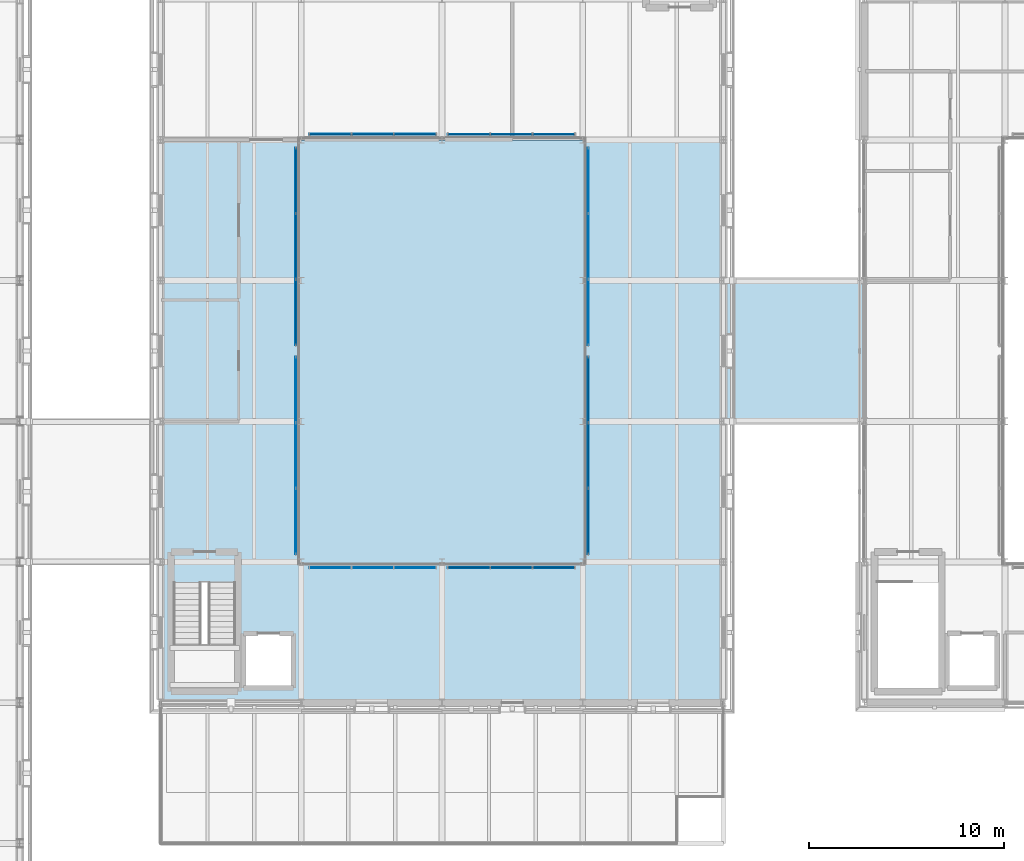
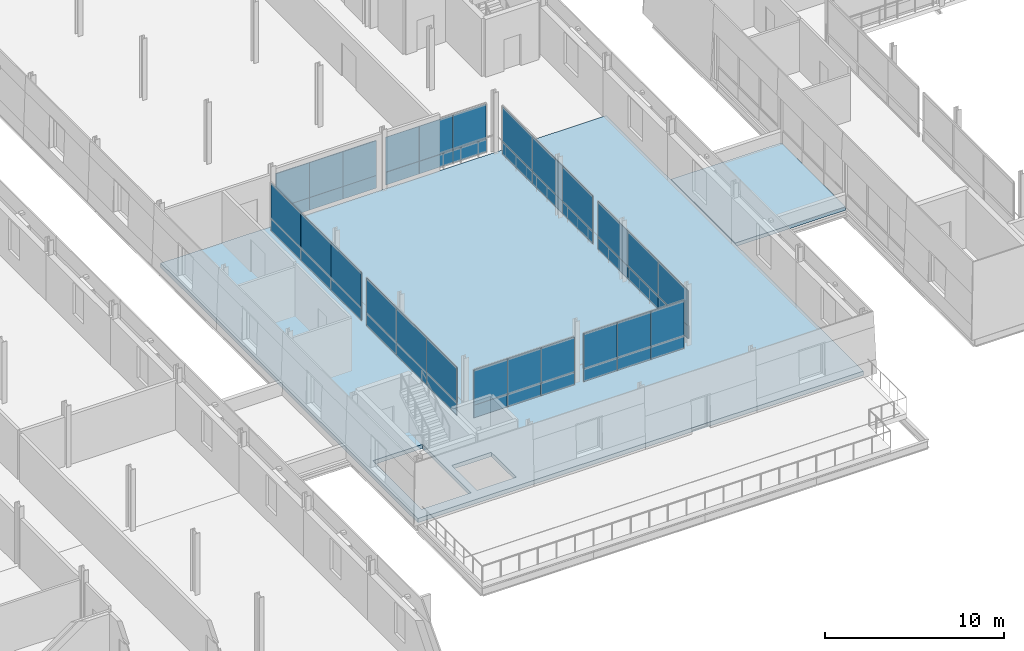
# One storey, part 46 of 91: 48 plates, 2 slabs, 8 elements without a shape of their own.
"""IFC4 building model written with IfcOpenShell, lengths in metres."""

from ifc_helpers import new_model, si_unit, direction, frame, origin, origin_2d, place, context, subcontext, project, spatial, polyline, rectangle, outline, extrude, material, layer, layer_set, type_object, element, aggregate, save


model = new_model("IFC4")

# Units and contexts
model_context = context("Model", 3, precision=1e-05, world=origin(), true_north=direction((0.0, 1.0)))
body_context = subcontext(model_context, "Body", "Model", "MODEL_VIEW")
ifc_project = project(units=[si_unit("LENGTHUNIT", "METRE"), si_unit("AREAUNIT", "SQUARE_METRE"), si_unit("VOLUMEUNIT", "CUBIC_METRE"), si_unit("PLANEANGLEUNIT", "RADIAN"), si_unit("MASSUNIT", "GRAM", prefix="KILO")], contexts=[model_context])

# Site, building, storey
site_placement = place(None, origin())
site = spatial("IfcSite", under=ifc_project, at=site_placement, CompositionType="ELEMENT")
building_placement = place(site_placement, origin())
building = spatial("IfcBuilding", under=site, at=building_placement, Name="Narikvali Park Central Library", CompositionType="ELEMENT")
storey_placement = place(building_placement, frame((0.0, 0.0, 14.39990234375)))
storey = spatial("IfcBuildingStorey", under=building, at=storey_placement, Name="L03", CompositionType="ELEMENT", Elevation=14.39990234375)

# Slab
ifc_material_1 = material(Name="Concrete C35/45", Category="concrete")
ifc_layer_1 = layer(ifc_material_1, 0.280029296875, Name="Concrete C35/45")
ifc_layer_set_1 = layer_set([ifc_layer_1], Name="Concrete C35/45")
slab_type_1 = type_object("IfcSlabType", Name="Composite Reading Floor Slab 280", PredefinedType="FLOOR", material=ifc_layer_set_1)
slab_1_placement = place(storey_placement, frame((0.0, 0.0, -0.27978515625)))
element("IfcSlab", 1, at=slab_1_placement, inside=storey, type_object=slab_type_1, Name="V4 L03 Structural Slab Panel 1", PredefinedType="FLOOR", context=body_context, shape_type="SweptSolid", body=[
    extrude(outline(polyline([(28.800048828125, 57.60009765625), (57.60009765625, 57.60009765625), (57.60009765625, 86.39990234375), (28.800048828125, 86.39990234375), (28.800048828125, 57.60009765625)]), holes=[polyline([(29.449951171875, 58.300048828125), (32.64990234375, 58.300048828125), (32.64990234375, 63.75), (29.449951171875, 63.75), (29.449951171875, 58.300048828125)]), polyline([(33.050048828125, 58.35009765625), (35.60009765625, 58.35009765625), (35.60009765625, 61.14990234375), (33.050048828125, 61.14990234375), (33.050048828125, 58.35009765625)])]), origin(), (0.0, 0.0, 1.0), 0.27978515625),
])

# Curtain wall, plates
ifc_material_2 = material(Name="Anodised Bronze Aluminium", Category="aluminium")
ifc_layer_2 = layer(ifc_material_2, 0.219970703125, Name="Anodised Bronze Aluminium")
ifc_layer_set_2 = layer_set([ifc_layer_2], Name="Anodised Bronze Aluminium")
curtain_wall_type = type_object("IfcCurtainWallType", Name="Atrium Tall Curtain Wall System", PredefinedType="NOTDEFINED", material=ifc_layer_set_2)
curtain_wall_1_placement = place(storey_placement, origin())
curtain_wall_1 = element("IfcCurtainWall", 2, at=curtain_wall_1_placement, inside=storey, type_object=curtain_wall_type, Name="Atrium Tall Curtain Wall System CW-INT-V4-L03-W2", PredefinedType="NOTDEFINED")
ifc_material_3 = material(Name="Heavy Acoustic Laminated Clerestory Glazing", Category="glass")
ifc_layer_3 = layer(ifc_material_3, 0.06396484375, Name="Heavy Acoustic Laminated Clerestory Glazing")
ifc_layer_set_3 = layer_set([ifc_layer_3], Name="Heavy Acoustic Laminated Clerestory Glazing")
plate_type_1 = type_object("IfcPlateType", Name="Curtain Wall Clerestory Laminated Acoustic Glass 64", PredefinedType="CURTAIN_PANEL", material=ifc_layer_set_3)
plate_1_placement = place(storey_placement, frame((35.719970703125, 77.583251953125, 0.9052734375), z_axis=(0.0, 0.0, 1.0), x_axis=(0.0, 1.0, 0.0)))
plate_1 = element("IfcPlate", 3, at=plate_1_placement, type_object=plate_type_1, Name="CW-INT-V4-L03-W2 Panel 00-1", PredefinedType="CURTAIN_PANEL", context=body_context, shape_type="SweptSolid", body=[
    extrude(rectangle(XDim=3.356689453125, YDim=0.06396484375, at=origin_2d()), origin(), (0.0, 0.0, 1.0), 2.3798828125),
])
plate_2_placement = place(storey_placement, frame((35.719970703125, 80.949951171875, 0.9052734375), z_axis=(0.0, 0.0, 1.0), x_axis=(0.0, 1.0, 0.0)))
plate_2 = element("IfcPlate", 4, at=plate_2_placement, type_object=plate_type_1, Name="CW-INT-V4-L03-W2 Panel 01-1", PredefinedType="CURTAIN_PANEL", context=body_context, shape_type="SweptSolid", body=[
    extrude(rectangle(XDim=3.356689453125, YDim=0.06396484375, at=origin_2d()), origin(), (0.0, 0.0, 1.0), 2.3798828125),
])
plate_3_placement = place(storey_placement, frame((35.719970703125, 84.316650390625, 0.9052734375), z_axis=(0.0, 0.0, 1.0), x_axis=(0.0, 1.0, 0.0)))
plate_3 = element("IfcPlate", 5, at=plate_3_placement, type_object=plate_type_1, Name="CW-INT-V4-L03-W2 Panel 02-1", PredefinedType="CURTAIN_PANEL", context=body_context, shape_type="SweptSolid", body=[
    extrude(rectangle(XDim=3.356689453125, YDim=0.06396484375, at=origin_2d()), origin(), (0.0, 0.0, 1.0), 2.3798828125),
])

curtain_wall_2_placement = place(storey_placement, origin())
curtain_wall_2 = element("IfcCurtainWall", 6, at=curtain_wall_2_placement, inside=storey, type_object=curtain_wall_type, Name="Atrium Tall Curtain Wall System CW-INT-V4-L03-E1", PredefinedType="NOTDEFINED")
plate_4_placement = place(storey_placement, frame((50.679931640625, 66.88330078125, 0.03515625), z_axis=(0.0, 0.0, 1.0), x_axis=(0.0, 1.0, 0.0)))
plate_4 = element("IfcPlate", 7, at=plate_4_placement, type_object=plate_type_1, Name="CW-INT-V4-L03-E1 Panel 00-0", PredefinedType="CURTAIN_PANEL", context=body_context, shape_type="SweptSolid", body=[
    extrude(rectangle(XDim=3.356689453125, YDim=0.06396484375, at=origin_2d()), origin(), (0.0, 0.0, 1.0), 0.860107421875),
])
plate_5_placement = place(storey_placement, frame((50.679931640625, 70.25, 0.03515625), z_axis=(0.0, 0.0, 1.0), x_axis=(0.0, 1.0, 0.0)))
plate_5 = element("IfcPlate", 8, at=plate_5_placement, type_object=plate_type_1, Name="CW-INT-V4-L03-E1 Panel 01-0", PredefinedType="CURTAIN_PANEL", context=body_context, shape_type="SweptSolid", body=[
    extrude(rectangle(XDim=3.356689453125, YDim=0.06396484375, at=origin_2d()), origin(), (0.0, 0.0, 1.0), 0.860107421875),
])
plate_6_placement = place(storey_placement, frame((50.679931640625, 73.61669921875, 0.03515625), z_axis=(0.0, 0.0, 1.0), x_axis=(0.0, 1.0, 0.0)))
plate_6 = element("IfcPlate", 9, at=plate_6_placement, type_object=plate_type_1, Name="CW-INT-V4-L03-E1 Panel 02-0", PredefinedType="CURTAIN_PANEL", context=body_context, shape_type="SweptSolid", body=[
    extrude(rectangle(XDim=3.356689453125, YDim=0.06396484375, at=origin_2d()), origin(), (0.0, 0.0, 1.0), 0.860107421875),
])

curtain_wall_3_placement = place(storey_placement, origin())
curtain_wall_3 = element("IfcCurtainWall", 10, at=curtain_wall_3_placement, inside=storey, type_object=curtain_wall_type, Name="Atrium Tall Curtain Wall System CW-INT-V4-L03-N1", PredefinedType="NOTDEFINED")
plate_7_placement = place(storey_placement, frame((37.4833984375, 86.679931640625, 0.9052734375), z_axis=(0.0, 0.0, 1.0), x_axis=(1.0, 0.0, 0.0)))
plate_7 = element("IfcPlate", 11, at=plate_7_placement, type_object=plate_type_1, Name="CW-INT-V4-L03-N1 Panel 00-1", PredefinedType="CURTAIN_PANEL", context=body_context, shape_type="SweptSolid", body=[
    extrude(rectangle(XDim=2.15673828125, YDim=0.06396484375, at=origin_2d()), origin(), (0.0, 0.0, 1.0), 2.3798828125),
])
plate_8_placement = place(storey_placement, frame((39.64990234375, 86.679931640625, 0.9052734375), z_axis=(0.0, 0.0, 1.0), x_axis=(1.0, 0.0, 0.0)))
plate_8 = element("IfcPlate", 12, at=plate_8_placement, type_object=plate_type_1, Name="CW-INT-V4-L03-N1 Panel 01-1", PredefinedType="CURTAIN_PANEL", context=body_context, shape_type="SweptSolid", body=[
    extrude(rectangle(XDim=2.15673828125, YDim=0.06396484375, at=origin_2d()), origin(), (0.0, 0.0, 1.0), 2.3798828125),
])
plate_9_placement = place(storey_placement, frame((41.816650390625, 86.679931640625, 0.9052734375), z_axis=(0.0, 0.0, 1.0), x_axis=(1.0, 0.0, 0.0)))
plate_9 = element("IfcPlate", 13, at=plate_9_placement, type_object=plate_type_1, Name="CW-INT-V4-L03-N1 Panel 02-1", PredefinedType="CURTAIN_PANEL", context=body_context, shape_type="SweptSolid", body=[
    extrude(rectangle(XDim=2.15673828125, YDim=0.06396484375, at=origin_2d()), origin(), (0.0, 0.0, 1.0), 2.3798828125),
])

curtain_wall_4_placement = place(storey_placement, origin())
curtain_wall_4 = element("IfcCurtainWall", 14, at=curtain_wall_4_placement, inside=storey, type_object=curtain_wall_type, Name="Atrium Tall Curtain Wall System CW-INT-V4-L03-N2", PredefinedType="NOTDEFINED")
plate_10_placement = place(storey_placement, frame((44.583251953125, 86.679931640625, 0.03515625), z_axis=(0.0, 0.0, 1.0), x_axis=(1.0, 0.0, 0.0)))
plate_10 = element("IfcPlate", 15, at=plate_10_placement, type_object=plate_type_1, Name="CW-INT-V4-L03-N2 Panel 00-0", PredefinedType="CURTAIN_PANEL", context=body_context, shape_type="SweptSolid", body=[
    extrude(rectangle(XDim=2.15673828125, YDim=0.06396484375, at=origin_2d()), origin(), (0.0, 0.0, 1.0), 0.860107421875),
])
plate_11_placement = place(storey_placement, frame((46.75, 86.679931640625, 0.03515625), z_axis=(0.0, 0.0, 1.0), x_axis=(1.0, 0.0, 0.0)))
plate_11 = element("IfcPlate", 16, at=plate_11_placement, type_object=plate_type_1, Name="CW-INT-V4-L03-N2 Panel 01-0", PredefinedType="CURTAIN_PANEL", context=body_context, shape_type="SweptSolid", body=[
    extrude(rectangle(XDim=2.15673828125, YDim=0.06396484375, at=origin_2d()), origin(), (0.0, 0.0, 1.0), 0.860107421875),
])
plate_12_placement = place(storey_placement, frame((48.916748046875, 86.679931640625, 0.03515625), z_axis=(0.0, 0.0, 1.0), x_axis=(1.0, 0.0, 0.0)))
plate_12 = element("IfcPlate", 17, at=plate_12_placement, type_object=plate_type_1, Name="CW-INT-V4-L03-N2 Panel 02-0", PredefinedType="CURTAIN_PANEL", context=body_context, shape_type="SweptSolid", body=[
    extrude(rectangle(XDim=2.15673828125, YDim=0.06396484375, at=origin_2d()), origin(), (0.0, 0.0, 1.0), 0.860107421875),
])

curtain_wall_5_placement = place(storey_placement, origin())
curtain_wall_5 = element("IfcCurtainWall", 18, at=curtain_wall_5_placement, inside=storey, type_object=curtain_wall_type, Name="Atrium Tall Curtain Wall System CW-INT-V4-L03-S2", PredefinedType="NOTDEFINED")
plate_13_placement = place(storey_placement, frame((44.583251953125, 64.52001953125, 0.9052734375), z_axis=(0.0, 0.0, 1.0), x_axis=(1.0, 0.0, 0.0)))
plate_13 = element("IfcPlate", 19, at=plate_13_placement, type_object=plate_type_1, Name="CW-INT-V4-L03-S2 Panel 00-1", PredefinedType="CURTAIN_PANEL", context=body_context, shape_type="SweptSolid", body=[
    extrude(rectangle(XDim=2.15673828125, YDim=0.06396484375, at=origin_2d()), origin(), (0.0, 0.0, 1.0), 2.3798828125),
])
plate_14_placement = place(storey_placement, frame((46.75, 64.52001953125, 0.9052734375), z_axis=(0.0, 0.0, 1.0), x_axis=(1.0, 0.0, 0.0)))
plate_14 = element("IfcPlate", 20, at=plate_14_placement, type_object=plate_type_1, Name="CW-INT-V4-L03-S2 Panel 01-1", PredefinedType="CURTAIN_PANEL", context=body_context, shape_type="SweptSolid", body=[
    extrude(rectangle(XDim=2.15673828125, YDim=0.06396484375, at=origin_2d()), origin(), (0.0, 0.0, 1.0), 2.3798828125),
])
plate_15_placement = place(storey_placement, frame((48.916748046875, 64.52001953125, 0.9052734375), z_axis=(0.0, 0.0, 1.0), x_axis=(1.0, 0.0, 0.0)))
plate_15 = element("IfcPlate", 21, at=plate_15_placement, type_object=plate_type_1, Name="CW-INT-V4-L03-S2 Panel 02-1", PredefinedType="CURTAIN_PANEL", context=body_context, shape_type="SweptSolid", body=[
    extrude(rectangle(XDim=2.15673828125, YDim=0.06396484375, at=origin_2d()), origin(), (0.0, 0.0, 1.0), 2.3798828125),
])

curtain_wall_6_placement = place(storey_placement, origin())
curtain_wall_6 = element("IfcCurtainWall", 22, at=curtain_wall_6_placement, inside=storey, type_object=curtain_wall_type, Name="Atrium Tall Curtain Wall System CW-INT-V4-L03-W1", PredefinedType="NOTDEFINED")
ifc_material_4 = material(Name="Double Low-E Tempered Vision Glazing", Category="glass")
ifc_layer_4 = layer(ifc_material_4, 0.035888671875, Name="Double Low-E Tempered Vision Glazing")
ifc_layer_set_4 = layer_set([ifc_layer_4], Name="Double Low-E Tempered Vision Glazing")
plate_type_2 = type_object("IfcPlateType", Name="Curtain Wall Double Low-E Vision Glazing 36", PredefinedType="CURTAIN_PANEL", material=ifc_layer_set_4)
plate_16_placement = place(storey_placement, frame((35.719970703125, 66.88330078125, 0.03515625), z_axis=(0.0, 0.0, 1.0), x_axis=(0.0, 1.0, 0.0)))
plate_16 = element("IfcPlate", 23, at=plate_16_placement, type_object=plate_type_2, Name="CW-INT-V4-L03-W1 Panel 00-0", PredefinedType="CURTAIN_PANEL", context=body_context, shape_type="SweptSolid", body=[
    extrude(rectangle(XDim=3.356689453125, YDim=0.035888671875, at=origin_2d()), origin(), (0.0, 0.0, 1.0), 0.860107421875),
])
plate_17_placement = place(storey_placement, frame((35.719970703125, 70.25, 0.03515625), z_axis=(0.0, 0.0, 1.0), x_axis=(0.0, 1.0, 0.0)))
plate_17 = element("IfcPlate", 24, at=plate_17_placement, type_object=plate_type_2, Name="CW-INT-V4-L03-W1 Panel 01-0", PredefinedType="CURTAIN_PANEL", context=body_context, shape_type="SweptSolid", body=[
    extrude(rectangle(XDim=3.356689453125, YDim=0.035888671875, at=origin_2d()), origin(), (0.0, 0.0, 1.0), 0.860107421875),
])
plate_18_placement = place(storey_placement, frame((35.719970703125, 73.61669921875, 0.03515625), z_axis=(0.0, 0.0, 1.0), x_axis=(0.0, 1.0, 0.0)))
plate_18 = element("IfcPlate", 25, at=plate_18_placement, type_object=plate_type_2, Name="CW-INT-V4-L03-W1 Panel 02-0", PredefinedType="CURTAIN_PANEL", context=body_context, shape_type="SweptSolid", body=[
    extrude(rectangle(XDim=3.356689453125, YDim=0.035888671875, at=origin_2d()), origin(), (0.0, 0.0, 1.0), 0.860107421875),
])

# Plate
plate_19_placement = place(storey_placement, frame((50.679931640625, 66.88330078125, 0.9052734375), z_axis=(0.0, 0.0, 1.0), x_axis=(0.0, 1.0, 0.0)))
plate_19 = element("IfcPlate", 26, at=plate_19_placement, type_object=plate_type_2, Name="CW-INT-V4-L03-E1 Panel 00-1", PredefinedType="CURTAIN_PANEL", context=body_context, shape_type="SweptSolid", body=[
    extrude(rectangle(XDim=3.356689453125, YDim=0.035888671875, at=origin_2d()), origin(), (0.0, 0.0, 1.0), 2.3798828125),
])

plate_20_placement = place(storey_placement, frame((50.679931640625, 70.25, 0.9052734375), z_axis=(0.0, 0.0, 1.0), x_axis=(0.0, 1.0, 0.0)))
plate_20 = element("IfcPlate", 27, at=plate_20_placement, type_object=plate_type_2, Name="CW-INT-V4-L03-E1 Panel 01-1", PredefinedType="CURTAIN_PANEL", context=body_context, shape_type="SweptSolid", body=[
    extrude(rectangle(XDim=3.356689453125, YDim=0.035888671875, at=origin_2d()), origin(), (0.0, 0.0, 1.0), 2.3798828125),
])

plate_21_placement = place(storey_placement, frame((50.679931640625, 73.61669921875, 0.9052734375), z_axis=(0.0, 0.0, 1.0), x_axis=(0.0, 1.0, 0.0)))
plate_21 = element("IfcPlate", 28, at=plate_21_placement, type_object=plate_type_2, Name="CW-INT-V4-L03-E1 Panel 02-1", PredefinedType="CURTAIN_PANEL", context=body_context, shape_type="SweptSolid", body=[
    extrude(rectangle(XDim=3.356689453125, YDim=0.035888671875, at=origin_2d()), origin(), (0.0, 0.0, 1.0), 2.3798828125),
])

aggregate(curtain_wall_2, [plate_4, plate_19, plate_5, plate_20, plate_6, plate_21])

# Curtain wall, plates
curtain_wall_7_placement = place(storey_placement, origin())
curtain_wall_7 = element("IfcCurtainWall", 29, at=curtain_wall_7_placement, inside=storey, type_object=curtain_wall_type, Name="Atrium Tall Curtain Wall System CW-INT-V4-L03-E2", PredefinedType="NOTDEFINED")
plate_22_placement = place(storey_placement, frame((50.679931640625, 77.583251953125, 0.03515625), z_axis=(0.0, 0.0, 1.0), x_axis=(0.0, 1.0, 0.0)))
plate_22 = element("IfcPlate", 30, at=plate_22_placement, type_object=plate_type_2, Name="CW-INT-V4-L03-E2 Panel 00-0", PredefinedType="CURTAIN_PANEL", context=body_context, shape_type="SweptSolid", body=[
    extrude(rectangle(XDim=3.356689453125, YDim=0.035888671875, at=origin_2d()), origin(), (0.0, 0.0, 1.0), 0.860107421875),
])
plate_23_placement = place(storey_placement, frame((50.679931640625, 80.949951171875, 0.03515625), z_axis=(0.0, 0.0, 1.0), x_axis=(0.0, 1.0, 0.0)))
plate_23 = element("IfcPlate", 31, at=plate_23_placement, type_object=plate_type_2, Name="CW-INT-V4-L03-E2 Panel 01-0", PredefinedType="CURTAIN_PANEL", context=body_context, shape_type="SweptSolid", body=[
    extrude(rectangle(XDim=3.356689453125, YDim=0.035888671875, at=origin_2d()), origin(), (0.0, 0.0, 1.0), 0.860107421875),
])
plate_24_placement = place(storey_placement, frame((50.679931640625, 84.316650390625, 0.03515625), z_axis=(0.0, 0.0, 1.0), x_axis=(0.0, 1.0, 0.0)))
plate_24 = element("IfcPlate", 32, at=plate_24_placement, type_object=plate_type_2, Name="CW-INT-V4-L03-E2 Panel 02-0", PredefinedType="CURTAIN_PANEL", context=body_context, shape_type="SweptSolid", body=[
    extrude(rectangle(XDim=3.356689453125, YDim=0.035888671875, at=origin_2d()), origin(), (0.0, 0.0, 1.0), 0.860107421875),
])

# Plate
plate_25_placement = place(storey_placement, frame((44.583251953125, 86.679931640625, 0.9052734375), z_axis=(0.0, 0.0, 1.0), x_axis=(1.0, 0.0, 0.0)))
plate_25 = element("IfcPlate", 33, at=plate_25_placement, type_object=plate_type_2, Name="CW-INT-V4-L03-N2 Panel 00-1", PredefinedType="CURTAIN_PANEL", context=body_context, shape_type="SweptSolid", body=[
    extrude(rectangle(XDim=2.15673828125, YDim=0.035888671875, at=origin_2d()), origin(), (0.0, 0.0, 1.0), 2.3798828125),
])

plate_26_placement = place(storey_placement, frame((46.75, 86.679931640625, 0.9052734375), z_axis=(0.0, 0.0, 1.0), x_axis=(1.0, 0.0, 0.0)))
plate_26 = element("IfcPlate", 34, at=plate_26_placement, type_object=plate_type_2, Name="CW-INT-V4-L03-N2 Panel 01-1", PredefinedType="CURTAIN_PANEL", context=body_context, shape_type="SweptSolid", body=[
    extrude(rectangle(XDim=2.15673828125, YDim=0.035888671875, at=origin_2d()), origin(), (0.0, 0.0, 1.0), 2.3798828125),
])

plate_27_placement = place(storey_placement, frame((48.916748046875, 86.679931640625, 0.9052734375), z_axis=(0.0, 0.0, 1.0), x_axis=(1.0, 0.0, 0.0)))
plate_27 = element("IfcPlate", 35, at=plate_27_placement, type_object=plate_type_2, Name="CW-INT-V4-L03-N2 Panel 02-1", PredefinedType="CURTAIN_PANEL", context=body_context, shape_type="SweptSolid", body=[
    extrude(rectangle(XDim=2.15673828125, YDim=0.035888671875, at=origin_2d()), origin(), (0.0, 0.0, 1.0), 2.3798828125),
])

aggregate(curtain_wall_4, [plate_10, plate_25, plate_11, plate_26, plate_12, plate_27])

# Curtain wall, plates
curtain_wall_8_placement = place(storey_placement, origin())
curtain_wall_8 = element("IfcCurtainWall", 36, at=curtain_wall_8_placement, inside=storey, type_object=curtain_wall_type, Name="Atrium Tall Curtain Wall System CW-INT-V4-L03-S1", PredefinedType="NOTDEFINED")
plate_28_placement = place(storey_placement, frame((37.4833984375, 64.52001953125, 0.03515625), z_axis=(0.0, 0.0, 1.0), x_axis=(1.0, 0.0, 0.0)))
plate_28 = element("IfcPlate", 37, at=plate_28_placement, type_object=plate_type_2, Name="CW-INT-V4-L03-S1 Panel 00-0", PredefinedType="CURTAIN_PANEL", context=body_context, shape_type="SweptSolid", body=[
    extrude(rectangle(XDim=2.15673828125, YDim=0.035888671875, at=origin_2d()), origin(), (0.0, 0.0, 1.0), 0.860107421875),
])
plate_29_placement = place(storey_placement, frame((39.64990234375, 64.52001953125, 0.03515625), z_axis=(0.0, 0.0, 1.0), x_axis=(1.0, 0.0, 0.0)))
plate_29 = element("IfcPlate", 38, at=plate_29_placement, type_object=plate_type_2, Name="CW-INT-V4-L03-S1 Panel 01-0", PredefinedType="CURTAIN_PANEL", context=body_context, shape_type="SweptSolid", body=[
    extrude(rectangle(XDim=2.15673828125, YDim=0.035888671875, at=origin_2d()), origin(), (0.0, 0.0, 1.0), 0.860107421875),
])
plate_30_placement = place(storey_placement, frame((41.816650390625, 64.52001953125, 0.03515625), z_axis=(0.0, 0.0, 1.0), x_axis=(1.0, 0.0, 0.0)))
plate_30 = element("IfcPlate", 39, at=plate_30_placement, type_object=plate_type_2, Name="CW-INT-V4-L03-S1 Panel 02-0", PredefinedType="CURTAIN_PANEL", context=body_context, shape_type="SweptSolid", body=[
    extrude(rectangle(XDim=2.15673828125, YDim=0.035888671875, at=origin_2d()), origin(), (0.0, 0.0, 1.0), 0.860107421875),
])

# Plate
ifc_material_5 = material(Name="Triple Low-E Acoustic Laminated Glazing", Category="glass")
ifc_layer_5 = layer(ifc_material_5, 0.048095703125, Name="Triple Low-E Acoustic Laminated Glazing")
ifc_layer_set_5 = layer_set([ifc_layer_5], Name="Triple Low-E Acoustic Laminated Glazing")
plate_type_3 = type_object("IfcPlateType", Name="Curtain Wall Triple Solar-Acoustic Glazing 48", PredefinedType="CURTAIN_PANEL", material=ifc_layer_set_5)
plate_31_placement = place(storey_placement, frame((35.719970703125, 66.88330078125, 0.9052734375), z_axis=(0.0, 0.0, 1.0), x_axis=(0.0, 1.0, 0.0)))
plate_31 = element("IfcPlate", 40, at=plate_31_placement, type_object=plate_type_3, Name="CW-INT-V4-L03-W1 Panel 00-1", PredefinedType="CURTAIN_PANEL", context=body_context, shape_type="SweptSolid", body=[
    extrude(rectangle(XDim=3.356689453125, YDim=0.048095703125, at=origin_2d()), origin(), (0.0, 0.0, 1.0), 2.3798828125),
])

plate_32_placement = place(storey_placement, frame((35.719970703125, 70.25, 0.9052734375), z_axis=(0.0, 0.0, 1.0), x_axis=(0.0, 1.0, 0.0)))
plate_32 = element("IfcPlate", 41, at=plate_32_placement, type_object=plate_type_3, Name="CW-INT-V4-L03-W1 Panel 01-1", PredefinedType="CURTAIN_PANEL", context=body_context, shape_type="SweptSolid", body=[
    extrude(rectangle(XDim=3.356689453125, YDim=0.048095703125, at=origin_2d()), origin(), (0.0, 0.0, 1.0), 2.3798828125),
])

plate_33_placement = place(storey_placement, frame((35.719970703125, 73.61669921875, 0.9052734375), z_axis=(0.0, 0.0, 1.0), x_axis=(0.0, 1.0, 0.0)))
plate_33 = element("IfcPlate", 42, at=plate_33_placement, type_object=plate_type_3, Name="CW-INT-V4-L03-W1 Panel 02-1", PredefinedType="CURTAIN_PANEL", context=body_context, shape_type="SweptSolid", body=[
    extrude(rectangle(XDim=3.356689453125, YDim=0.048095703125, at=origin_2d()), origin(), (0.0, 0.0, 1.0), 2.3798828125),
])

aggregate(curtain_wall_6, [plate_16, plate_31, plate_17, plate_32, plate_18, plate_33])

plate_34_placement = place(storey_placement, frame((35.719970703125, 77.583251953125, 0.03515625), z_axis=(0.0, 0.0, 1.0), x_axis=(0.0, 1.0, 0.0)))
plate_34 = element("IfcPlate", 43, at=plate_34_placement, type_object=plate_type_3, Name="CW-INT-V4-L03-W2 Panel 00-0", PredefinedType="CURTAIN_PANEL", context=body_context, shape_type="SweptSolid", body=[
    extrude(rectangle(XDim=3.356689453125, YDim=0.048095703125, at=origin_2d()), origin(), (0.0, 0.0, 1.0), 0.860107421875),
])

plate_35_placement = place(storey_placement, frame((35.719970703125, 80.949951171875, 0.03515625), z_axis=(0.0, 0.0, 1.0), x_axis=(0.0, 1.0, 0.0)))
plate_35 = element("IfcPlate", 44, at=plate_35_placement, type_object=plate_type_3, Name="CW-INT-V4-L03-W2 Panel 01-0", PredefinedType="CURTAIN_PANEL", context=body_context, shape_type="SweptSolid", body=[
    extrude(rectangle(XDim=3.356689453125, YDim=0.048095703125, at=origin_2d()), origin(), (0.0, 0.0, 1.0), 0.860107421875),
])

plate_36_placement = place(storey_placement, frame((35.719970703125, 84.316650390625, 0.03515625), z_axis=(0.0, 0.0, 1.0), x_axis=(0.0, 1.0, 0.0)))
plate_36 = element("IfcPlate", 45, at=plate_36_placement, type_object=plate_type_3, Name="CW-INT-V4-L03-W2 Panel 02-0", PredefinedType="CURTAIN_PANEL", context=body_context, shape_type="SweptSolid", body=[
    extrude(rectangle(XDim=3.356689453125, YDim=0.048095703125, at=origin_2d()), origin(), (0.0, 0.0, 1.0), 0.860107421875),
])

aggregate(curtain_wall_1, [plate_34, plate_1, plate_35, plate_2, plate_36, plate_3])

plate_37_placement = place(storey_placement, frame((50.679931640625, 77.583251953125, 0.9052734375), z_axis=(0.0, 0.0, 1.0), x_axis=(0.0, 1.0, 0.0)))
plate_37 = element("IfcPlate", 46, at=plate_37_placement, type_object=plate_type_3, Name="CW-INT-V4-L03-E2 Panel 00-1", PredefinedType="CURTAIN_PANEL", context=body_context, shape_type="SweptSolid", body=[
    extrude(rectangle(XDim=3.356689453125, YDim=0.048095703125, at=origin_2d()), origin(), (0.0, 0.0, 1.0), 2.3798828125),
])

plate_38_placement = place(storey_placement, frame((50.679931640625, 80.949951171875, 0.9052734375), z_axis=(0.0, 0.0, 1.0), x_axis=(0.0, 1.0, 0.0)))
plate_38 = element("IfcPlate", 47, at=plate_38_placement, type_object=plate_type_3, Name="CW-INT-V4-L03-E2 Panel 01-1", PredefinedType="CURTAIN_PANEL", context=body_context, shape_type="SweptSolid", body=[
    extrude(rectangle(XDim=3.356689453125, YDim=0.048095703125, at=origin_2d()), origin(), (0.0, 0.0, 1.0), 2.3798828125),
])

plate_39_placement = place(storey_placement, frame((50.679931640625, 84.316650390625, 0.9052734375), z_axis=(0.0, 0.0, 1.0), x_axis=(0.0, 1.0, 0.0)))
plate_39 = element("IfcPlate", 48, at=plate_39_placement, type_object=plate_type_3, Name="CW-INT-V4-L03-E2 Panel 02-1", PredefinedType="CURTAIN_PANEL", context=body_context, shape_type="SweptSolid", body=[
    extrude(rectangle(XDim=3.356689453125, YDim=0.048095703125, at=origin_2d()), origin(), (0.0, 0.0, 1.0), 2.3798828125),
])

aggregate(curtain_wall_7, [plate_22, plate_37, plate_23, plate_38, plate_24, plate_39])

plate_40_placement = place(storey_placement, frame((37.4833984375, 86.679931640625, 0.03515625), z_axis=(0.0, 0.0, 1.0), x_axis=(1.0, 0.0, 0.0)))
plate_40 = element("IfcPlate", 49, at=plate_40_placement, type_object=plate_type_3, Name="CW-INT-V4-L03-N1 Panel 00-0", PredefinedType="CURTAIN_PANEL", context=body_context, shape_type="SweptSolid", body=[
    extrude(rectangle(XDim=2.15673828125, YDim=0.048095703125, at=origin_2d()), origin(), (0.0, 0.0, 1.0), 0.860107421875),
])

plate_41_placement = place(storey_placement, frame((39.64990234375, 86.679931640625, 0.03515625), z_axis=(0.0, 0.0, 1.0), x_axis=(1.0, 0.0, 0.0)))
plate_41 = element("IfcPlate", 50, at=plate_41_placement, type_object=plate_type_3, Name="CW-INT-V4-L03-N1 Panel 01-0", PredefinedType="CURTAIN_PANEL", context=body_context, shape_type="SweptSolid", body=[
    extrude(rectangle(XDim=2.15673828125, YDim=0.048095703125, at=origin_2d()), origin(), (0.0, 0.0, 1.0), 0.860107421875),
])

plate_42_placement = place(storey_placement, frame((41.816650390625, 86.679931640625, 0.03515625), z_axis=(0.0, 0.0, 1.0), x_axis=(1.0, 0.0, 0.0)))
plate_42 = element("IfcPlate", 51, at=plate_42_placement, type_object=plate_type_3, Name="CW-INT-V4-L03-N1 Panel 02-0", PredefinedType="CURTAIN_PANEL", context=body_context, shape_type="SweptSolid", body=[
    extrude(rectangle(XDim=2.15673828125, YDim=0.048095703125, at=origin_2d()), origin(), (0.0, 0.0, 1.0), 0.860107421875),
])

aggregate(curtain_wall_3, [plate_40, plate_7, plate_41, plate_8, plate_42, plate_9])

plate_43_placement = place(storey_placement, frame((37.4833984375, 64.52001953125, 0.9052734375), z_axis=(0.0, 0.0, 1.0), x_axis=(1.0, 0.0, 0.0)))
plate_43 = element("IfcPlate", 52, at=plate_43_placement, type_object=plate_type_3, Name="CW-INT-V4-L03-S1 Panel 00-1", PredefinedType="CURTAIN_PANEL", context=body_context, shape_type="SweptSolid", body=[
    extrude(rectangle(XDim=2.15673828125, YDim=0.048095703125, at=origin_2d()), origin(), (0.0, 0.0, 1.0), 2.3798828125),
])

plate_44_placement = place(storey_placement, frame((39.64990234375, 64.52001953125, 0.9052734375), z_axis=(0.0, 0.0, 1.0), x_axis=(1.0, 0.0, 0.0)))
plate_44 = element("IfcPlate", 53, at=plate_44_placement, type_object=plate_type_3, Name="CW-INT-V4-L03-S1 Panel 01-1", PredefinedType="CURTAIN_PANEL", context=body_context, shape_type="SweptSolid", body=[
    extrude(rectangle(XDim=2.15673828125, YDim=0.048095703125, at=origin_2d()), origin(), (0.0, 0.0, 1.0), 2.3798828125),
])

plate_45_placement = place(storey_placement, frame((41.816650390625, 64.52001953125, 0.9052734375), z_axis=(0.0, 0.0, 1.0), x_axis=(1.0, 0.0, 0.0)))
plate_45 = element("IfcPlate", 54, at=plate_45_placement, type_object=plate_type_3, Name="CW-INT-V4-L03-S1 Panel 02-1", PredefinedType="CURTAIN_PANEL", context=body_context, shape_type="SweptSolid", body=[
    extrude(rectangle(XDim=2.15673828125, YDim=0.048095703125, at=origin_2d()), origin(), (0.0, 0.0, 1.0), 2.3798828125),
])

aggregate(curtain_wall_8, [plate_28, plate_43, plate_29, plate_44, plate_30, plate_45])

plate_46_placement = place(storey_placement, frame((44.583251953125, 64.52001953125, 0.03515625), z_axis=(0.0, 0.0, 1.0), x_axis=(1.0, 0.0, 0.0)))
plate_46 = element("IfcPlate", 55, at=plate_46_placement, type_object=plate_type_3, Name="CW-INT-V4-L03-S2 Panel 00-0", PredefinedType="CURTAIN_PANEL", context=body_context, shape_type="SweptSolid", body=[
    extrude(rectangle(XDim=2.15673828125, YDim=0.048095703125, at=origin_2d()), origin(), (0.0, 0.0, 1.0), 0.860107421875),
])

plate_47_placement = place(storey_placement, frame((46.75, 64.52001953125, 0.03515625), z_axis=(0.0, 0.0, 1.0), x_axis=(1.0, 0.0, 0.0)))
plate_47 = element("IfcPlate", 56, at=plate_47_placement, type_object=plate_type_3, Name="CW-INT-V4-L03-S2 Panel 01-0", PredefinedType="CURTAIN_PANEL", context=body_context, shape_type="SweptSolid", body=[
    extrude(rectangle(XDim=2.15673828125, YDim=0.048095703125, at=origin_2d()), origin(), (0.0, 0.0, 1.0), 0.860107421875),
])

plate_48_placement = place(storey_placement, frame((48.916748046875, 64.52001953125, 0.03515625), z_axis=(0.0, 0.0, 1.0), x_axis=(1.0, 0.0, 0.0)))
plate_48 = element("IfcPlate", 57, at=plate_48_placement, type_object=plate_type_3, Name="CW-INT-V4-L03-S2 Panel 02-0", PredefinedType="CURTAIN_PANEL", context=body_context, shape_type="SweptSolid", body=[
    extrude(rectangle(XDim=2.15673828125, YDim=0.048095703125, at=origin_2d()), origin(), (0.0, 0.0, 1.0), 0.860107421875),
])

aggregate(curtain_wall_5, [plate_46, plate_13, plate_47, plate_14, plate_48, plate_15])

# Slab
ifc_layer_6 = layer(ifc_material_1, 0.239990234375, Name="Concrete C35/45")
ifc_layer_set_6 = layer_set([ifc_layer_6], Name="Concrete C35/45")
slab_type_2 = type_object("IfcSlabType", Name="Flat Acoustic Roof Slab 240", PredefinedType="ROOF", material=ifc_layer_set_6)
slab_2_placement = place(storey_placement, frame((0.0, 0.0, -0.239990234375)))
element("IfcSlab", 58, at=slab_2_placement, inside=storey, type_object=slab_type_2, Name="BRG-2 L03 Bridge Roof Slab", PredefinedType="ROOF", context=body_context, shape_type="SweptSolid", body=[
    extrude(outline(polyline([(57.639892578125, 72.0), (64.760009765625, 72.0), (64.760009765625, 79.199951171875), (57.639892578125, 79.199951171875), (57.639892578125, 72.0)])), origin(), (0.0, 0.0, 1.0), 0.239990234375),
])

save(model, "model.ifc")
